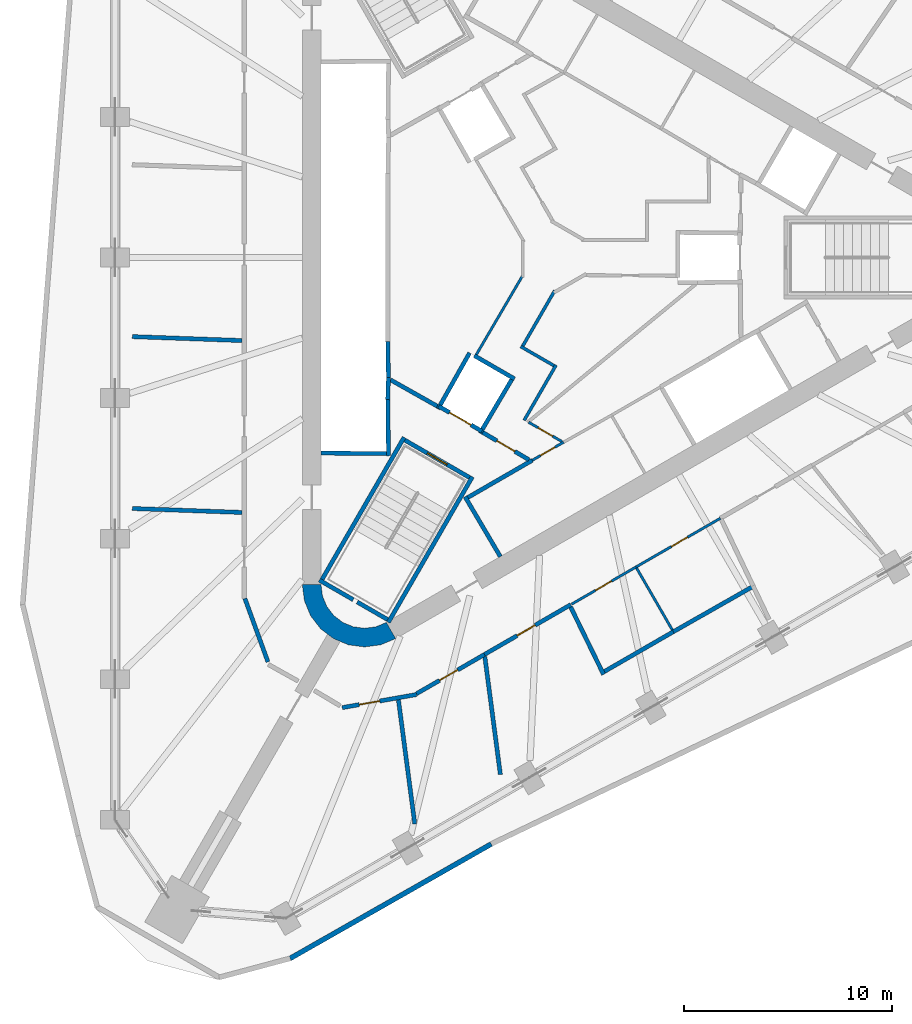
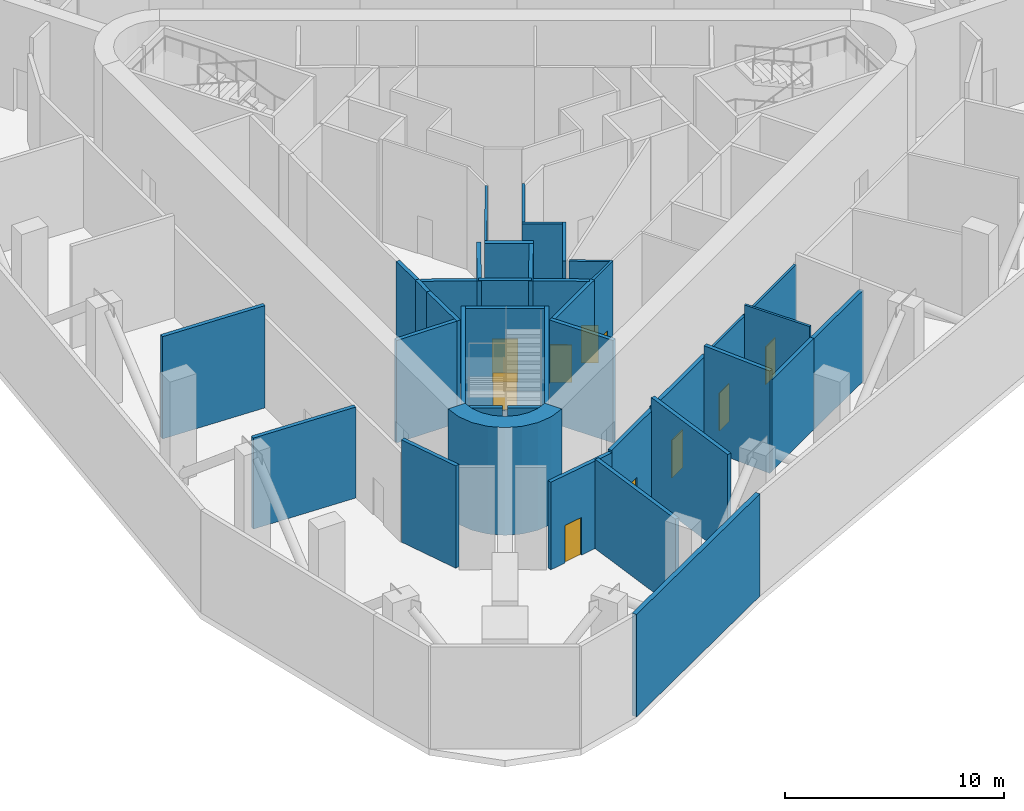
# One storey, part 3 of 12: 39 walls, 10 doors, 10 openings.
"""IFC4 building model written with IfcOpenShell, lengths in metres."""

from ifc_helpers import new_model, si_unit, direction, frame, frame_2d, origin, place, context, subcontext, project, spatial, polyline, rectangle, outline, extrude, material, layer, layer_set, type_object, element, fill, save


model = new_model("IFC4")

# Units and contexts
model_context = context("Model", 3, precision=1e-05, world=origin(), true_north=direction((0.0, 1.0)))
body_context = subcontext(model_context, "Body", "Model", "MODEL_VIEW")
ifc_project = project(units=[si_unit("LENGTHUNIT", "METRE"), si_unit("AREAUNIT", "SQUARE_METRE"), si_unit("VOLUMEUNIT", "CUBIC_METRE"), si_unit("PLANEANGLEUNIT", "RADIAN"), si_unit("MASSUNIT", "GRAM", prefix="KILO")], contexts=[model_context])

# Site, building, storey
site_placement = place(None, origin())
site = spatial("IfcSite", under=ifc_project, at=site_placement, CompositionType="ELEMENT")
building_placement = place(site_placement, origin())
building = spatial("IfcBuilding", under=site, at=building_placement, Name="Tanit Gate Tower", CompositionType="ELEMENT")
storey_placement = place(building_placement, frame((0.0, 0.0, 292.699951171875)))
storey = spatial("IfcBuildingStorey", under=building, at=storey_placement, Name="L65", CompositionType="ELEMENT", Elevation=292.699951171875)

# Walls
ifc_material_1 = material(Name="Concrete C50/60", Category="concrete")
ifc_layer_1 = layer(ifc_material_1, 0.89990234375)
ifc_layer_set_1 = layer_set([ifc_layer_1], Name="CORE WALL 900 C50/60")
wall_type_1 = type_object("IfcWallType", Name="CORE WALL 900 C50/60", PredefinedType="SHEAR", material=ifc_layer_set_1)
wall_1_placement = place(storey_placement, origin())
element("IfcWall", 1, at=wall_1_placement, inside=storey, type_object=wall_type_1, Name="CORE WALL CORNER", PredefinedType="SHEAR", context=body_context, shape_type="SweptSolid", body=[
    extrude(outline(polyline([(-12.10009765625, -15.76171875), (-11.997802734375, -16.5380859375), (-11.697998046875, -17.26171875), (-11.22119140625, -17.883056640625), (-10.60009765625, -18.359619140625), (-9.87646484375, -18.659423828125), (-9.10009765625, -18.76171875), (-8.323486328125, -18.659423828125), (-7.60009765625, -18.359619140625), (-8.050048828125, -17.580322265625), (-8.556396484375, -17.7900390625), (-9.10009765625, -17.86181640625), (-9.6435546875, -17.7900390625), (-10.14990234375, -17.580322265625), (-10.5849609375, -17.24658203125), (-10.918701171875, -16.811767578125), (-11.12841796875, -16.30517578125), (-11.199951171875, -15.76171875), (-12.10009765625, -15.76171875)])), origin(), (0.0, 0.0, 1.0), 6.0),
])
ifc_material_2 = material(Name="Concrete C30/37 with bronze anodised aluminium cladding", Category="concrete")
ifc_layer_2 = layer(ifc_material_2, 0.239990234375)
ifc_layer_set_2 = layer_set([ifc_layer_2], Name="Facade wall bronze clad 240")
wall_type_2 = type_object("IfcWallType", Name="Facade wall bronze clad 240", PredefinedType="SOLIDWALL", material=ifc_layer_set_2)
wall_2_placement = place(storey_placement, frame((-12.683349609375, -33.76708984375, 0.0), z_axis=(0.0, 0.0, 1.0), x_axis=(0.869200201648, 0.494460321416, 0.0)))
element("IfcWall", 2, at=wall_2_placement, inside=storey, type_object=wall_type_2, Name="Bronze-clad facade wall L65 SE1", PredefinedType="SOLIDWALL", context=body_context, shape_type="SweptSolid", body=[
    extrude(rectangle(XDim=11.142578125, YDim=0.239990234375, at=frame_2d((5.5712890625, 0.0))), origin(), (0.0, 0.0, 1.0), 5.699951171875),
])
ifc_material_3 = material(Name="Fire-rated gypsum board partition")
ifc_layer_3 = layer(ifc_material_3, 0.199951171875)
ifc_layer_set_3 = layer_set([ifc_layer_3], Name="INT-WALL-COMPARTMENT")
wall_type_3 = type_object("IfcWallType", Name="INT-WALL-COMPARTMENT", PredefinedType="PARTITIONING", material=ifc_layer_set_3)
wall_3_placement = place(storey_placement, frame((-4.259765625, -11.523681640625, 0.0), z_axis=(0.0, 0.0, 1.0), x_axis=(0.507997497166, -0.861358544901, 0.0)))
element("IfcWall", 3, at=wall_3_placement, inside=storey, type_object=wall_type_3, Name="Wall Compartment W060", PredefinedType="PARTITIONING", context=body_context, shape_type="SweptSolid", body=[
    extrude(rectangle(XDim=3.350341796875, YDim=0.199951171875, at=frame_2d((1.67529296875, 0.0))), origin(), (0.0, 0.0, 1.0), 5.699951171875),
])
wall_4_placement = place(storey_placement, frame((-1.02392578125, -9.77099609375, 0.0), z_axis=(0.0, 0.0, 1.0), x_axis=(-0.866029903013, -0.499992207027, 0.0)))
element("IfcWall", 4, at=wall_4_placement, inside=storey, type_object=wall_type_3, Name="Wall Compartment W061", PredefinedType="PARTITIONING", context=body_context, shape_type="SweptSolid", body=[
    extrude(rectangle(XDim=3.57763671875, YDim=0.199951171875, at=frame_2d((1.788818359375, 0.0))), origin(), (0.0, 0.0, 1.0), 5.699951171875),
])
wall_5_placement = place(storey_placement, frame((-7.84912109375, -5.893798828125, 0.0), z_axis=(0.0, 0.0, 1.0), x_axis=(0.871340486379, -0.490678873396, 0.0)))
element("IfcWall", 5, at=wall_5_placement, inside=storey, type_object=wall_type_3, Name="Wall Compartment W071", PredefinedType="PARTITIONING", context=body_context, shape_type="SweptSolid", body=[
    extrude(rectangle(XDim=2.580810546875, YDim=0.199951171875, at=frame_2d((1.29052734375, 0.0))), origin(), (0.0, 0.0, 1.0), 5.699951171875),
])

# Wall, opening, door
wall_6_placement = place(storey_placement, frame((-3.400634765625, -8.43017578125, 0.0), z_axis=(0.0, 0.0, 1.0), x_axis=(0.860630814782, -0.509229418482, 0.0)))
wall_6 = element("IfcWall", 6, at=wall_6_placement, inside=storey, type_object=wall_type_3, Name="Wall Compartment W072", PredefinedType="PARTITIONING", context=body_context, shape_type="SweptSolid", body=[
    extrude(rectangle(XDim=2.581787109375, YDim=0.199951171875, at=frame_2d((1.291015625, 0.0))), origin(), (0.0, 0.0, 1.0), 5.699951171875),
])
opening_1_placement = place(wall_6_placement, frame((0.791015625, 0.0, 0.0)))
opening_1 = element("IfcOpeningElement", 7, at=opening_1_placement, cuts=wall_6, Name="Opening F10-65-08", PredefinedType="OPENING", context=body_context, shape_type="SweptSolid", body=[
    extrude(rectangle(XDim=1.0, YDim=2.10009765625, at=frame_2d((0.5, 1.050048828125))), frame((0.0, 0.10986328125, 0.0), z_axis=(0.0, -1.0, 0.0), x_axis=(1.0, 0.0, 0.0)), (0.0, 0.0, 1.0), 0.219970703125),
])
ifc_material_4 = material(Name="Fire-rated steel door leaf", Category="steel")
door_type_1 = type_object("IfcDoorType", Name="INT-DOOR-FIRE-1000", OperationType="NOTDEFINED", PredefinedType="USERDEFINED", material=ifc_material_4)
door_1_placement = place(opening_1_placement, origin())
door_1 = element("IfcDoor", 8, at=door_1_placement, inside=storey, type_object=door_type_1, Name="Door F10-65-08", ObjectType="FIRE DOOR", OperationType="SINGLE_SWING_RIGHT", OverallHeight=2.10009765625, OverallWidth=1.0, PredefinedType="USERDEFINED", context=body_context, shape_type="SweptSolid", body=[
    extrude(rectangle(XDim=1.0, YDim=2.10009765625, at=frame_2d((0.5, 1.050048828125))), frame((0.0, 0.02490234375, 0.0), z_axis=(0.0, -1.0, 0.0), x_axis=(1.0, 0.0, 0.0)), (0.0, 0.0, 1.0), 0.050048828125),
])
fill(opening_1, door_1)

# Walls
wall_7_placement = place(storey_placement, frame((-14.86572265625, -16.4287109375, 0.0), z_axis=(0.0, 0.0, 1.0), x_axis=(0.342002619796, -0.939698998644, 0.0)))
element("IfcWall", 9, at=wall_7_placement, inside=storey, type_object=wall_type_3, Name="Wall Compartment W099", PredefinedType="PARTITIONING", context=body_context, shape_type="SweptSolid", body=[
    extrude(rectangle(XDim=3.247314453125, YDim=0.199951171875, at=frame_2d((1.62353515625, 0.0))), origin(), (0.0, 0.0, 1.0), 5.699951171875),
])
wall_8_placement = place(storey_placement, frame((-15.0, -4.0009765625, 0.0), z_axis=(0.0, 0.0, 1.0), x_axis=(-0.999353066749, 0.03596453779, 0.0)))
element("IfcWall", 10, at=wall_8_placement, inside=storey, type_object=wall_type_3, Name="Wall Compartment W103", PredefinedType="PARTITIONING", context=body_context, shape_type="SweptSolid", body=[
    extrude(rectangle(XDim=5.294921875, YDim=0.199951171875, at=frame_2d((2.6474609375, 0.0))), origin(), (0.0, 0.0, 1.0), 5.699951171875),
])
wall_9_placement = place(storey_placement, frame((-15.0, -12.2822265625, 0.0), z_axis=(0.0, 0.0, 1.0), x_axis=(-0.999353066749, 0.03596453779, 0.0)))
element("IfcWall", 11, at=wall_9_placement, inside=storey, type_object=wall_type_3, Name="Wall Compartment W104", PredefinedType="PARTITIONING", context=body_context, shape_type="SweptSolid", body=[
    extrude(rectangle(XDim=5.294921875, YDim=0.199951171875, at=frame_2d((2.6474609375, 0.0))), origin(), (0.0, 0.0, 1.0), 5.070068359375),
])

# Wall, opening, door
wall_10_placement = place(storey_placement, frame((-10.179931640625, -21.685302734375, 0.0), z_axis=(0.0, 0.0, 1.0), x_axis=(0.984808550308, 0.173643655919, 0.0)))
wall_10 = element("IfcWall", 12, at=wall_10_placement, inside=storey, type_object=wall_type_3, Name="Wall Compartment W121", PredefinedType="PARTITIONING", context=body_context, shape_type="SweptSolid", body=[
    extrude(rectangle(XDim=3.63720703125, YDim=0.199951171875, at=frame_2d((1.818603515625, 0.0))), origin(), (0.0, 0.0, 1.0), 4.880126953125),
])
opening_2_placement = place(wall_10_placement, frame((0.837158203125, 0.0, 0.0)))
opening_2 = element("IfcOpeningElement", 13, at=opening_2_placement, cuts=wall_10, Name="Opening F10-65-33", PredefinedType="OPENING", context=body_context, shape_type="SweptSolid", body=[
    extrude(rectangle(XDim=1.0, YDim=2.10009765625, at=frame_2d((0.5, 1.050048828125))), frame((0.0, 0.10986328125, 0.0), z_axis=(0.0, -1.0, 0.0), x_axis=(1.0, 0.0, 0.0)), (0.0, 0.0, 1.0), 0.219970703125),
])
door_2_placement = place(opening_2_placement, origin())
door_2 = element("IfcDoor", 14, at=door_2_placement, inside=storey, type_object=door_type_1, Name="Door F10-65-33", ObjectType="FIRE DOOR", OperationType="SINGLE_SWING_LEFT", OverallHeight=2.10009765625, OverallWidth=1.0, PredefinedType="USERDEFINED", context=body_context, shape_type="SweptSolid", body=[
    extrude(rectangle(XDim=1.0, YDim=2.10009765625, at=frame_2d((0.5, 1.050048828125))), frame((0.0, 0.02490234375, 0.0), z_axis=(0.0, -1.0, 0.0), x_axis=(1.0, 0.0, 0.0)), (0.0, 0.0, 1.0), 0.050048828125),
])
fill(opening_2, door_2)

wall_11_placement = place(storey_placement, frame((-6.609619140625, -21.021240234375, 0.0), z_axis=(0.0, 0.0, 1.0), x_axis=(0.866014229038, 0.500019354728, 0.0)))
wall_11 = element("IfcWall", 15, at=wall_11_placement, inside=storey, type_object=wall_type_3, Name="Wall Compartment W123", PredefinedType="PARTITIONING", context=body_context, shape_type="SweptSolid", body=[
    extrude(rectangle(XDim=3.796142578125, YDim=0.199951171875, at=frame_2d((1.89794921875, 0.0))), origin(), (0.0, 0.0, 1.0), 4.97998046875),
])
opening_3_placement = place(wall_11_placement, frame((1.2998046875, 0.0, 0.0)))
opening_3 = element("IfcOpeningElement", 16, at=opening_3_placement, cuts=wall_11, Name="Opening F10-65-34", PredefinedType="OPENING", context=body_context, shape_type="SweptSolid", body=[
    extrude(rectangle(XDim=1.0, YDim=2.10009765625, at=frame_2d((0.5, 1.050048828125))), frame((0.0, 0.10986328125, 0.0), z_axis=(0.0, -1.0, 0.0), x_axis=(1.0, 0.0, 0.0)), (0.0, 0.0, 1.0), 0.219970703125),
])
door_3_placement = place(opening_3_placement, origin())
door_3 = element("IfcDoor", 17, at=door_3_placement, inside=storey, type_object=door_type_1, Name="Door F10-65-34", ObjectType="FIRE DOOR", OperationType="SINGLE_SWING_RIGHT", OverallHeight=2.10009765625, OverallWidth=1.0, PredefinedType="USERDEFINED", context=body_context, shape_type="SweptSolid", body=[
    extrude(rectangle(XDim=1.0, YDim=2.10009765625, at=frame_2d((0.5, 1.050048828125))), frame((0.0, 0.02490234375, 0.0), z_axis=(0.0, -1.0, 0.0), x_axis=(1.0, 0.0, 0.0)), (0.0, 0.0, 1.0), 0.050048828125),
])
fill(opening_3, door_3)

wall_12_placement = place(storey_placement, frame((-3.322021484375, -19.123046875, 0.0), z_axis=(0.0, 0.0, 1.0), x_axis=(0.866020577108, 0.500008359956, 0.0)))
wall_12 = element("IfcWall", 18, at=wall_12_placement, inside=storey, type_object=wall_type_3, Name="Wall Compartment W125", PredefinedType="PARTITIONING", context=body_context, shape_type="SweptSolid", body=[
    extrude(rectangle(XDim=4.8046875, YDim=0.199951171875, at=frame_2d((2.40234375, 0.0))), origin(), (0.0, 0.0, 1.0), 5.070068359375),
])
opening_4_placement = place(wall_12_placement, frame((1.822265625, 0.0, 0.0)))
opening_4 = element("IfcOpeningElement", 19, at=opening_4_placement, cuts=wall_12, Name="Opening F10-65-35", PredefinedType="OPENING", context=body_context, shape_type="SweptSolid", body=[
    extrude(rectangle(XDim=1.0, YDim=2.10009765625, at=frame_2d((0.5, 1.050048828125))), frame((0.0, 0.10986328125, 0.0), z_axis=(0.0, -1.0, 0.0), x_axis=(1.0, 0.0, 0.0)), (0.0, 0.0, 1.0), 0.219970703125),
])
door_4_placement = place(opening_4_placement, origin())
door_4 = element("IfcDoor", 20, at=door_4_placement, inside=storey, type_object=door_type_1, Name="Door F10-65-35", ObjectType="FIRE DOOR", OperationType="SINGLE_SWING_LEFT", OverallHeight=2.10009765625, OverallWidth=1.0, PredefinedType="USERDEFINED", context=body_context, shape_type="SweptSolid", body=[
    extrude(rectangle(XDim=1.0, YDim=2.10009765625, at=frame_2d((0.5, 1.050048828125))), frame((0.0, 0.02490234375, 0.0), z_axis=(0.0, -1.0, 0.0), x_axis=(1.0, 0.0, 0.0)), (0.0, 0.0, 1.0), 0.050048828125),
])
fill(opening_4, door_4)

# Walls
wall_13_placement = place(storey_placement, frame((-6.6796875, -27.287109375, 0.0), z_axis=(0.0, 0.0, 1.0), x_axis=(-0.1307739392, 0.991412213373, 0.0)))
element("IfcWall", 21, at=wall_13_placement, inside=storey, type_object=wall_type_3, Name="Wall Compartment W133", PredefinedType="PARTITIONING", context=body_context, shape_type="SweptSolid", body=[
    extrude(rectangle(XDim=6.030029296875, YDim=0.199951171875, at=frame_2d((3.01513671875, 0.0))), origin(), (0.0, 0.0, 1.0), 4.97998046875),
])
wall_14_placement = place(storey_placement, frame((-3.30615234375, -19.229248046875, 0.0), z_axis=(0.0, 0.0, 1.0), x_axis=(0.130789743481, -0.991410128554, 0.0)))
element("IfcWall", 22, at=wall_14_placement, inside=storey, type_object=wall_type_3, Name="Wall Compartment W134", PredefinedType="PARTITIONING", context=body_context, shape_type="SweptSolid", body=[
    extrude(rectangle(XDim=5.726806640625, YDim=0.199951171875, at=frame_2d((2.86328125, 0.0))), origin(), (0.0, 0.0, 1.0), 5.699951171875),
])
wall_15_placement = place(storey_placement, frame((2.456787109375, -19.943603515625, 0.0), z_axis=(0.0, 0.0, 1.0), x_axis=(0.866027525232, 0.499996325527, 0.0)))
element("IfcWall", 23, at=wall_15_placement, inside=storey, type_object=wall_type_3, Name="Wall Compartment W137", PredefinedType="PARTITIONING", context=body_context, shape_type="SweptSolid", body=[
    extrude(rectangle(XDim=3.83251953125, YDim=0.199951171875, at=frame_2d((1.916259765625, 0.0))), origin(), (0.0, 0.0, 1.0), 5.070068359375),
])
wall_16_placement = place(storey_placement, frame((5.776123046875, -18.027587890625, 0.0), z_axis=(0.0, 0.0, 1.0), x_axis=(0.869329804733, 0.494232425689, 0.0)))
element("IfcWall", 24, at=wall_16_placement, inside=storey, type_object=wall_type_3, Name="Wall Compartment W135", PredefinedType="PARTITIONING", context=body_context, shape_type="SweptSolid", body=[
    extrude(rectangle(XDim=4.457275390625, YDim=0.199951171875, at=frame_2d((2.228515625, 0.0))), origin(), (0.0, 0.0, 1.0), 5.070068359375),
])
wall_17_placement = place(storey_placement, frame((2.4169921875, -20.090087890625, 0.0), z_axis=(0.0, 0.0, 1.0), x_axis=(-0.438685684161, 0.898640568032, 0.0)))
element("IfcWall", 25, at=wall_17_placement, inside=storey, type_object=wall_type_3, Name="Wall Compartment W136", PredefinedType="PARTITIONING", context=body_context, shape_type="SweptSolid", body=[
    extrude(rectangle(XDim=3.61572265625, YDim=0.199951171875, at=frame_2d((1.807861328125, 0.0))), origin(), (0.0, 0.0, 1.0), 5.699951171875),
])

# Wall, opening, door
ifc_material_5 = material(Name="Gypsum board partition")
ifc_layer_4 = layer(ifc_material_5, 0.1201171875)
ifc_layer_set_4 = layer_set([ifc_layer_4], Name="INT-WALL-PARTITION")
wall_type_4 = type_object("IfcWallType", Name="INT-WALL-PARTITION", PredefinedType="PARTITIONING", material=ifc_layer_set_4)
wall_18_placement = place(storey_placement, frame((0.49267578125, -8.8955078125, 0.0), z_axis=(0.0, 0.0, 1.0), x_axis=(-0.86605557906, -0.499947731247, 0.0)))
wall_18 = element("IfcWall", 26, at=wall_18_placement, inside=storey, type_object=wall_type_4, Name="Wall Partition W063", PredefinedType="PARTITIONING", context=body_context, shape_type="SweptSolid", body=[
    extrude(rectangle(XDim=1.751220703125, YDim=0.1201171875, at=frame_2d((0.87548828125, 0.0))), origin(), (0.0, 0.0, 1.0), 5.699951171875),
])
opening_5_placement = place(wall_18_placement, frame((0.485595703125, 0.0, 0.0)))
opening_5 = element("IfcOpeningElement", 27, at=opening_5_placement, cuts=wall_18, Name="Opening R08-65-18", PredefinedType="OPENING", context=body_context, shape_type="SweptSolid", body=[
    extrude(rectangle(XDim=0.800048828125, YDim=2.10009765625, at=frame_2d((0.39990234375, 1.050048828125))), frame((0.0, 0.070068359375, 0.0), z_axis=(0.0, -1.0, 0.0), x_axis=(1.0, 0.0, 0.0)), (0.0, 0.0, 1.0), 0.14013671875),
])
ifc_material_6 = material(Name="Timber door leaf", Category="wood")
door_type_2 = type_object("IfcDoorType", Name="INT-DOOR-RISER-800", OperationType="NOTDEFINED", PredefinedType="USERDEFINED", material=ifc_material_6)
door_5_placement = place(opening_5_placement, origin())
door_5 = element("IfcDoor", 28, at=door_5_placement, inside=storey, type_object=door_type_2, Name="Door R08-65-18", ObjectType="FIRE DOOR", OperationType="SINGLE_SWING_RIGHT", OverallHeight=2.10009765625, OverallWidth=0.800048828125, PredefinedType="USERDEFINED", context=body_context, shape_type="SweptSolid", body=[
    extrude(rectangle(XDim=0.800048828125, YDim=2.10009765625, at=frame_2d((0.39990234375, 1.050048828125))), frame((0.0, 0.02490234375, 0.0), z_axis=(0.0, -1.0, 0.0), x_axis=(1.0, 0.0, 0.0)), (0.0, 0.0, 1.0), 0.050048828125),
])
fill(opening_5, door_5)

# Wall
wall_19_placement = place(storey_placement, frame((-3.711181640625, -4.670166015625, 0.0), z_axis=(0.0, 0.0, 1.0), x_axis=(0.505649867547, 0.862738785178, 0.0)))
element("IfcWall", 29, at=wall_19_placement, inside=storey, type_object=wall_type_4, Name="Wall Partition W075", PredefinedType="PARTITIONING", context=body_context, shape_type="SweptSolid", body=[
    extrude(rectangle(XDim=4.4091796875, YDim=0.1201171875, at=frame_2d((2.20458984375, 0.0))), origin(), (0.0, 0.0, 1.0), 5.699951171875),
])

# Wall, opening, door
wall_20_placement = place(storey_placement, frame((-1.19482421875, -7.936279296875, 0.0), z_axis=(0.0, 0.0, 1.0), x_axis=(0.864979954643, -0.50180641493, 0.0)))
wall_20 = element("IfcWall", 30, at=wall_20_placement, inside=storey, type_object=wall_type_4, Name="Wall Partition W082", PredefinedType="PARTITIONING", context=body_context, shape_type="SweptSolid", body=[
    extrude(rectangle(XDim=1.861328125, YDim=0.1201171875, at=frame_2d((0.9306640625, 0.0))), origin(), (0.0, 0.0, 1.0), 5.699951171875),
])
opening_6_placement = place(wall_20_placement, frame((0.53076171875, 0.0, 0.0)))
opening_6 = element("IfcOpeningElement", 31, at=opening_6_placement, cuts=wall_20, Name="Opening R08-65-12", PredefinedType="OPENING", context=body_context, shape_type="SweptSolid", body=[
    extrude(rectangle(XDim=0.800048828125, YDim=2.10009765625, at=frame_2d((0.39990234375, 1.050048828125))), frame((0.0, 0.070068359375, 0.0), z_axis=(0.0, -1.0, 0.0), x_axis=(1.0, 0.0, 0.0)), (0.0, 0.0, 1.0), 0.14013671875),
])
door_6_placement = place(opening_6_placement, origin())
door_6 = element("IfcDoor", 32, at=door_6_placement, inside=storey, type_object=door_type_2, Name="Door R08-65-12", ObjectType="FIRE DOOR", OperationType="SINGLE_SWING_RIGHT", OverallHeight=2.10009765625, OverallWidth=0.800048828125, PredefinedType="USERDEFINED", context=body_context, shape_type="SweptSolid", body=[
    extrude(rectangle(XDim=0.800048828125, YDim=2.10009765625, at=frame_2d((0.39990234375, 1.050048828125))), frame((0.0, 0.02490234375, 0.0), z_axis=(0.0, -1.0, 0.0), x_axis=(1.0, 0.0, 0.0)), (0.0, 0.0, 1.0), 0.050048828125),
])
fill(opening_6, door_6)

wall_21_placement = place(storey_placement, frame((0.873779296875, -16.70068359375, 0.0), z_axis=(0.0, 0.0, 1.0), x_axis=(0.866019870564, 0.500009583697, 0.0)))
wall_21 = element("IfcWall", 33, at=wall_21_placement, inside=storey, type_object=wall_type_4, Name="Wall Partition W127", PredefinedType="PARTITIONING", context=body_context, shape_type="SweptSolid", body=[
    extrude(rectangle(XDim=3.58203125, YDim=0.1201171875, at=frame_2d((1.791015625, 0.0))), origin(), (0.0, 0.0, 1.0), 5.070068359375),
])
opening_7_placement = place(wall_21_placement, frame((1.327392578125, 0.0, 0.0)))
opening_7 = element("IfcOpeningElement", 34, at=opening_7_placement, cuts=wall_21, Name="Opening D09-65-37", PredefinedType="OPENING", context=body_context, shape_type="SweptSolid", body=[
    extrude(rectangle(XDim=0.89990234375, YDim=2.10009765625, at=frame_2d((0.449951171875, 1.050048828125))), frame((0.0, 0.070068359375, 0.0), z_axis=(0.0, -1.0, 0.0), x_axis=(1.0, 0.0, 0.0)), (0.0, 0.0, 1.0), 0.14013671875),
])
ifc_material_7 = material(Name="Timber door leaf", Category="wood")
door_type_3 = type_object("IfcDoorType", Name="INT-DOOR-SINGLE-900", OperationType="NOTDEFINED", PredefinedType="NOTDEFINED", material=ifc_material_7)
door_7_placement = place(opening_7_placement, origin())
door_7 = element("IfcDoor", 35, at=door_7_placement, inside=storey, type_object=door_type_3, Name="Door D09-65-37", OperationType="SINGLE_SWING_RIGHT", OverallHeight=2.10009765625, OverallWidth=0.89990234375, PredefinedType="NOTDEFINED", context=body_context, shape_type="SweptSolid", body=[
    extrude(rectangle(XDim=0.89990234375, YDim=2.10009765625, at=frame_2d((0.449951171875, 1.050048828125))), frame((0.0, 0.02490234375, 0.0), z_axis=(0.0, -1.0, 0.0), x_axis=(1.0, 0.0, 0.0)), (0.0, 0.0, 1.0), 0.050048828125),
])
fill(opening_7, door_7)

wall_22_placement = place(storey_placement, frame((3.975830078125, -14.90966796875, 0.0), z_axis=(0.0, 0.0, 1.0), x_axis=(0.866022745717, 0.500004603879, 0.0)))
wall_22 = element("IfcWall", 36, at=wall_22_placement, inside=storey, type_object=wall_type_4, Name="Wall Partition W126", PredefinedType="PARTITIONING", context=body_context, shape_type="SweptSolid", body=[
    extrude(rectangle(XDim=4.69384765625, YDim=0.1201171875, at=frame_2d((2.346923828125, 0.0))), origin(), (0.0, 0.0, 1.0), 5.070068359375),
])
opening_8_placement = place(wall_22_placement, frame((1.969970703125, 0.0, 0.0)))
opening_8 = element("IfcOpeningElement", 37, at=opening_8_placement, cuts=wall_22, Name="Opening D09-65-36", PredefinedType="OPENING", context=body_context, shape_type="SweptSolid", body=[
    extrude(rectangle(XDim=0.89990234375, YDim=2.10009765625, at=frame_2d((0.449951171875, 1.050048828125))), frame((0.0, 0.070068359375, 0.0), z_axis=(0.0, -1.0, 0.0), x_axis=(1.0, 0.0, 0.0)), (0.0, 0.0, 1.0), 0.14013671875),
])
door_8_placement = place(opening_8_placement, origin())
door_8 = element("IfcDoor", 38, at=door_8_placement, inside=storey, type_object=door_type_3, Name="Door D09-65-36", OperationType="SINGLE_SWING_RIGHT", OverallHeight=2.10009765625, OverallWidth=0.89990234375, PredefinedType="NOTDEFINED", context=body_context, shape_type="SweptSolid", body=[
    extrude(rectangle(XDim=0.89990234375, YDim=2.10009765625, at=frame_2d((0.449951171875, 1.050048828125))), frame((0.0, 0.02490234375, 0.0), z_axis=(0.0, -1.0, 0.0), x_axis=(1.0, 0.0, 0.0)), (0.0, 0.0, 1.0), 0.050048828125),
])
fill(opening_8, door_8)

# Walls
wall_23_placement = place(storey_placement, frame((4.005859375, -14.96142578125, 0.0), z_axis=(0.0, 0.0, 1.0), x_axis=(0.499978425106, -0.866037859697, 0.0)))
element("IfcWall", 39, at=wall_23_placement, inside=storey, type_object=wall_type_4, Name="Wall Partition W139", PredefinedType="PARTITIONING", context=body_context, shape_type="SweptSolid", body=[
    extrude(rectangle(XDim=3.440185546875, YDim=0.1201171875, at=frame_2d((1.72021484375, 0.0))), origin(), (0.0, 0.0, 1.0), 5.699951171875),
])
ifc_material_8 = material(Name="Fire-rated gypsum board partition")
ifc_layer_5 = layer(ifc_material_8, 0.14990234375)
ifc_layer_set_5 = layer_set([ifc_layer_5], Name="INT-WALL-RISER")
wall_type_5 = type_object("IfcWallType", Name="INT-WALL-RISER", PredefinedType="PLUMBINGWALL", material=ifc_layer_set_5)
wall_24_placement = place(storey_placement, frame((0.125732421875, -5.18212890625, 0.0), z_axis=(0.0, 0.0, 1.0), x_axis=(-0.499956128963, -0.866050731258, 0.0)))
element("IfcWall", 40, at=wall_24_placement, inside=storey, type_object=wall_type_5, Name="Wall Riser W077", PredefinedType="PLUMBINGWALL", context=body_context, shape_type="SweptSolid", body=[
    extrude(rectangle(XDim=3.074951171875, YDim=0.14990234375, at=frame_2d((1.53759765625, 0.0))), origin(), (0.0, 0.0, 1.0), 5.699951171875),
])
wall_25_placement = place(storey_placement, frame((-1.578857421875, -4.28466796875, 0.0), z_axis=(0.0, 0.0, 1.0), x_axis=(0.866033964044, -0.499985172903, 0.0)))
element("IfcWall", 41, at=wall_25_placement, inside=storey, type_object=wall_type_5, Name="Wall Riser W078", PredefinedType="PLUMBINGWALL", context=body_context, shape_type="SweptSolid", body=[
    extrude(rectangle(XDim=1.85009765625, YDim=0.14990234375, at=frame_2d((0.925048828125, 0.0))), origin(), (0.0, 0.0, 1.0), 5.699951171875),
])
wall_26_placement = place(storey_placement, frame((0.06494140625, -1.58740234375, 0.0), z_axis=(0.0, 0.0, 1.0), x_axis=(-0.499980683721, -0.866036555756, 0.0)))
element("IfcWall", 42, at=wall_26_placement, inside=storey, type_object=wall_type_5, Name="Wall Riser W079", PredefinedType="PLUMBINGWALL", context=body_context, shape_type="SweptSolid", body=[
    extrude(rectangle(XDim=3.08251953125, YDim=0.14990234375, at=frame_2d((1.541259765625, 0.0))), origin(), (0.0, 0.0, 1.0), 5.699951171875),
])
ifc_material_9 = material(Name="Gypsum shaft wall system")
ifc_layer_6 = layer(ifc_material_9, 0.199951171875)
ifc_layer_set_6 = layer_set([ifc_layer_6], Name="INT-WALL-SHAFT")
wall_type_6 = type_object("IfcWallType", Name="INT-WALL-SHAFT", PredefinedType="PLUMBINGWALL", material=ifc_layer_set_6)
wall_27_placement = place(storey_placement, frame((-7.949951171875, -5.7724609375, 0.0), z_axis=(0.0, 0.0, 1.0), x_axis=(-0.030803413295, -0.999525462272, 0.0)))
element("IfcWall", 43, at=wall_27_placement, inside=storey, type_object=wall_type_6, Name="Wall Shaft W008", PredefinedType="PLUMBINGWALL", context=body_context, shape_type="SweptSolid", body=[
    extrude(rectangle(XDim=1.077880859375, YDim=0.199951171875, at=frame_2d((0.5390625, 0.0))), origin(), (0.0, 0.0, 1.0), 5.699951171875),
])
wall_28_placement = place(storey_placement, frame((-7.97998046875, -4.050048828125, 0.0), z_axis=(0.0, 0.0, 1.0), x_axis=(0.016809909365, -0.999858703491, 0.0)))
element("IfcWall", 44, at=wall_28_placement, inside=storey, type_object=wall_type_6, Name="Wall Shaft W009", PredefinedType="PLUMBINGWALL", context=body_context, shape_type="SweptSolid", body=[
    extrude(rectangle(XDim=1.844482421875, YDim=0.199951171875, at=frame_2d((0.92236328125, 0.0))), origin(), (0.0, 0.0, 1.0), 5.699951171875),
])
wall_29_placement = place(storey_placement, frame((-7.97900390625, -6.85009765625, 0.0), z_axis=(0.0, 0.0, 1.0), x_axis=(0.011121475088, -0.999938154483, 0.0)))
element("IfcWall", 45, at=wall_29_placement, inside=storey, type_object=wall_type_6, Name="Wall Shaft W010", PredefinedType="PLUMBINGWALL", context=body_context, shape_type="SweptSolid", body=[
    extrude(rectangle(XDim=2.7001953125, YDim=0.199951171875, at=frame_2d((1.35009765625, 0.0))), origin(), (0.0, 0.0, 1.0), 5.699951171875),
])
wall_30_placement = place(storey_placement, frame((-8.050048828125, -9.448974609375, 0.0), z_axis=(0.0, 0.0, 1.0), x_axis=(-0.999957467379, 0.009222983926, 0.0)))
element("IfcWall", 46, at=wall_30_placement, inside=storey, type_object=wall_type_6, Name="Wall Shaft W011", PredefinedType="PLUMBINGWALL", context=body_context, shape_type="SweptSolid", body=[
    extrude(rectangle(XDim=3.150146484375, YDim=0.199951171875, at=frame_2d((1.5751953125, 0.0))), origin(), (0.0, 0.0, 1.0), 5.699951171875),
])

# Wall, opening, door
wall_31_placement = place(storey_placement, frame((-3.44580078125, -8.3681640625, 0.0), z_axis=(0.0, 0.0, 1.0), x_axis=(-0.866024647952, 0.500001309137, 0.0)))
wall_31 = element("IfcWall", 47, at=wall_31_placement, inside=storey, type_object=wall_type_6, Name="Wall Shaft W044", PredefinedType="PLUMBINGWALL", context=body_context, shape_type="SweptSolid", body=[
    extrude(rectangle(XDim=2.39990234375, YDim=0.199951171875, at=frame_2d((1.199951171875, 0.0))), origin(), (0.0, 0.0, 1.0), 5.699951171875),
])
opening_9_placement = place(wall_31_placement, frame((0.60009765625, 0.0, 0.0)))
opening_9 = element("IfcOpeningElement", 48, at=opening_9_placement, cuts=wall_31, Name="Opening LDFL3-L65", PredefinedType="OPENING", context=body_context, shape_type="SweptSolid", body=[
    extrude(rectangle(XDim=1.199951171875, YDim=2.39990234375, at=frame_2d((0.60009765625, 1.199951171875))), frame((0.0, 0.10986328125, 0.0), z_axis=(0.0, -1.0, 0.0), x_axis=(1.0, 0.0, 0.0)), (0.0, 0.0, 1.0), 0.219970703125),
])
ifc_material_10 = material(Name="Stainless steel sliding door leaf", Category="steel")
door_type_4 = type_object("IfcDoorType", Name="INT-DOOR-LANDING-1200", OperationType="NOTDEFINED", PredefinedType="USERDEFINED", material=ifc_material_10)
door_9_placement = place(opening_9_placement, origin())
door_9 = element("IfcDoor", 49, at=door_9_placement, inside=storey, type_object=door_type_4, Name="Door LDFL3-L65", ObjectType="LANDING DOOR", OperationType="SLIDING_TO_LEFT", OverallHeight=2.39990234375, OverallWidth=1.199951171875, PredefinedType="USERDEFINED", context=body_context, shape_type="SweptSolid", body=[
    extrude(rectangle(XDim=1.199951171875, YDim=2.39990234375, at=frame_2d((0.60009765625, 1.199951171875))), frame((0.0, 0.02490234375, 0.0), z_axis=(0.0, -1.0, 0.0), x_axis=(1.0, 0.0, 0.0)), (0.0, 0.0, 1.0), 0.050048828125),
])
fill(opening_9, door_9)

# Walls
wall_32_placement = place(storey_placement, frame((-5.5625, -7.29638671875, 0.0), z_axis=(0.0, 0.0, 1.0), x_axis=(0.491322718731, 0.870977603649, 0.0)))
element("IfcWall", 50, at=wall_32_placement, inside=storey, type_object=wall_type_6, Name="Wall Shaft W045", PredefinedType="PLUMBINGWALL", context=body_context, shape_type="SweptSolid", body=[
    extrude(rectangle(XDim=3.10009765625, YDim=0.199951171875, at=frame_2d((1.550048828125, 0.0))), origin(), (0.0, 0.0, 1.0), 5.699951171875),
])
wall_33_placement = place(storey_placement, frame((-3.813720703125, -4.726318359375, 0.0), z_axis=(0.0, 0.0, 1.0), x_axis=(0.866000409959, -0.500043288077, 0.0)))
element("IfcWall", 51, at=wall_33_placement, inside=storey, type_object=wall_type_6, Name="Wall Shaft W046", PredefinedType="PLUMBINGWALL", context=body_context, shape_type="SweptSolid", body=[
    extrude(rectangle(XDim=2.239501953125, YDim=0.199951171875, at=frame_2d((1.11962890625, 0.0))), origin(), (0.0, 0.0, 1.0), 5.699951171875),
])
wall_34_placement = place(storey_placement, frame((-2.01171875, -5.88232421875, 0.0), z_axis=(0.0, 0.0, 1.0), x_axis=(-0.508619639323, -0.860991325447, 0.0)))
element("IfcWall", 52, at=wall_34_placement, inside=storey, type_object=wall_type_6, Name="Wall Shaft W047", PredefinedType="PLUMBINGWALL", context=body_context, shape_type="SweptSolid", body=[
    extrude(rectangle(XDim=3.0, YDim=0.199951171875, at=frame_2d((1.5, 0.0))), origin(), (0.0, 0.0, 1.0), 5.699951171875),
])
ifc_material_11 = material(Name="Concrete C40/50", Category="concrete")
ifc_layer_7 = layer(ifc_material_11, 0.199951171875)
ifc_layer_set_7 = layer_set([ifc_layer_7], Name="INT-WALL-STAIR")
wall_type_7 = type_object("IfcWallType", Name="INT-WALL-STAIR", PredefinedType="SHEAR", material=ifc_layer_set_7)
wall_35_placement = place(storey_placement, frame((-3.904541015625, -10.56298828125, -0.349853515625), z_axis=(0.0, 0.0, 1.0), x_axis=(-0.500012932018, -0.866017937352, 0.0)))
element("IfcWall", 53, at=wall_35_placement, inside=storey, type_object=wall_type_7, Name="Wall Stair W039", PredefinedType="SHEAR", context=body_context, shape_type="SweptSolid", body=[
    extrude(rectangle(XDim=8.099853515625, YDim=0.199951171875, at=frame_2d((4.0498046875, 0.0))), origin(), (0.0, 0.0, 1.0), 6.0498046875),
])
wall_36_placement = place(storey_placement, frame((-11.281982421875, -15.541015625, -0.349853515625), z_axis=(0.0, 0.0, 1.0), x_axis=(0.866000578957, -0.500042995397, 0.0)))
element("IfcWall", 54, at=wall_36_placement, inside=storey, type_object=wall_type_7, Name="Wall Stair W041", PredefinedType="SHEAR", context=body_context, shape_type="SweptSolid", body=[
    extrude(rectangle(XDim=1.889892578125, YDim=0.199951171875, at=frame_2d((0.94482421875, 0.0))), origin(), (0.0, 0.0, 1.0), 6.0498046875),
])
wall_37_placement = place(storey_placement, frame((-9.454833984375, -16.59619140625, -0.349853515625), z_axis=(0.0, 0.0, 1.0), x_axis=(0.866038843867, -0.499976720371, 0.0)))
element("IfcWall", 55, at=wall_37_placement, inside=storey, type_object=wall_type_7, Name="Wall Stair W040", PredefinedType="SHEAR", context=body_context, shape_type="SweptSolid", body=[
    extrude(rectangle(XDim=1.68994140625, YDim=0.199951171875, at=frame_2d((0.844970703125, 0.0))), origin(), (0.0, 0.0, 1.0), 6.0498046875),
])
wall_38_placement = place(storey_placement, frame((-7.195556640625, -8.662841796875, -0.349853515625), z_axis=(0.0, 0.0, 1.0), x_axis=(-0.499997992926, -0.866026562566, 0.0)))
element("IfcWall", 56, at=wall_38_placement, inside=storey, type_object=wall_type_7, Name="Wall Stair W042", PredefinedType="SHEAR", context=body_context, shape_type="SweptSolid", body=[
    extrude(rectangle(XDim=7.89990234375, YDim=0.199951171875, at=frame_2d((3.949951171875, 0.0))), origin(), (0.0, 0.0, 1.0), 6.0498046875),
])

# Wall, opening, door
wall_39_placement = place(storey_placement, frame((-4.041259765625, -10.599365234375, -0.349853515625), z_axis=(0.0, 0.0, 1.0), x_axis=(-0.866047807691, 0.499961193289, 0.0)))
wall_39 = element("IfcWall", 57, at=wall_39_placement, inside=storey, type_object=wall_type_7, Name="Wall Stair W043", PredefinedType="SHEAR", context=body_context, shape_type="SweptSolid", body=[
    extrude(rectangle(XDim=3.599853515625, YDim=0.199951171875, at=frame_2d((1.7998046875, 0.0))), origin(), (0.0, 0.0, 1.0), 6.0498046875),
])
opening_10_placement = place(wall_39_placement, frame((1.25, 0.0, 0.35009765625)))
opening_10 = element("IfcOpeningElement", 58, at=opening_10_placement, cuts=wall_39, Name="Opening S11-65-07", PredefinedType="OPENING", context=body_context, shape_type="SweptSolid", body=[
    extrude(rectangle(XDim=1.10009765625, YDim=2.10009765625, at=frame_2d((0.550048828125, 1.050048828125))), frame((0.0, 0.10986328125, 0.0), z_axis=(0.0, -1.0, 0.0), x_axis=(1.0, 0.0, 0.0)), (0.0, 0.0, 1.0), 0.219970703125),
])
ifc_material_12 = material(Name="Timber door leaf", Category="wood")
door_type_5 = type_object("IfcDoorType", Name="INT-DOOR-STAIR-1100", OperationType="NOTDEFINED", PredefinedType="USERDEFINED", material=ifc_material_12)
door_10_placement = place(opening_10_placement, origin())
door_10 = element("IfcDoor", 59, at=door_10_placement, inside=storey, type_object=door_type_5, Name="Door S11-65-07", ObjectType="FIRE DOOR", OperationType="SINGLE_SWING_LEFT", OverallHeight=2.10009765625, OverallWidth=1.10009765625, PredefinedType="USERDEFINED", context=body_context, shape_type="SweptSolid", body=[
    extrude(rectangle(XDim=1.10009765625, YDim=2.10009765625, at=frame_2d((0.550048828125, 1.050048828125))), frame((0.0, 0.02490234375, 0.0), z_axis=(0.0, -1.0, 0.0), x_axis=(1.0, 0.0, 0.0)), (0.0, 0.0, 1.0), 0.050048828125),
])
fill(opening_10, door_10)

save(model, "model.ifc")
